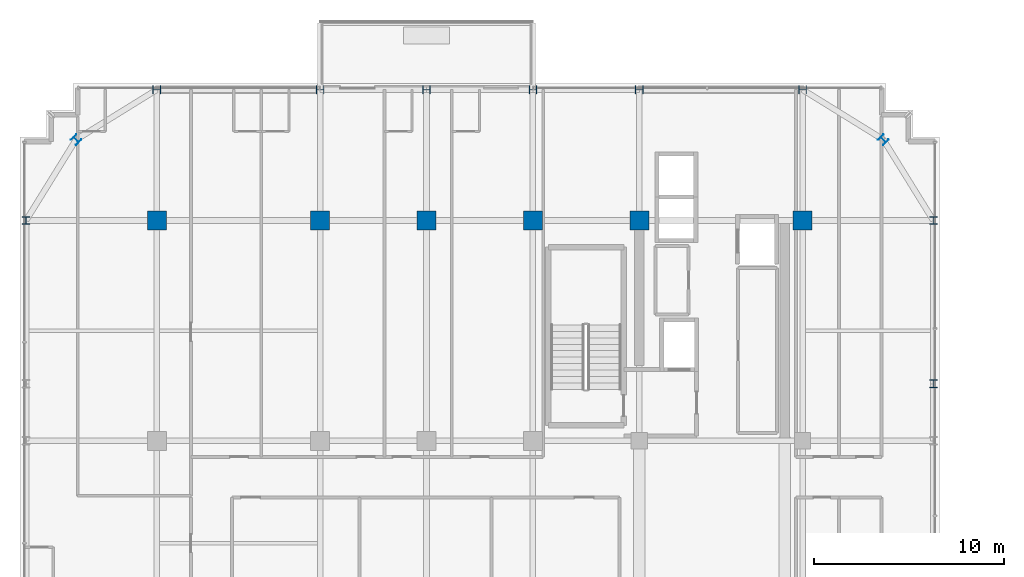
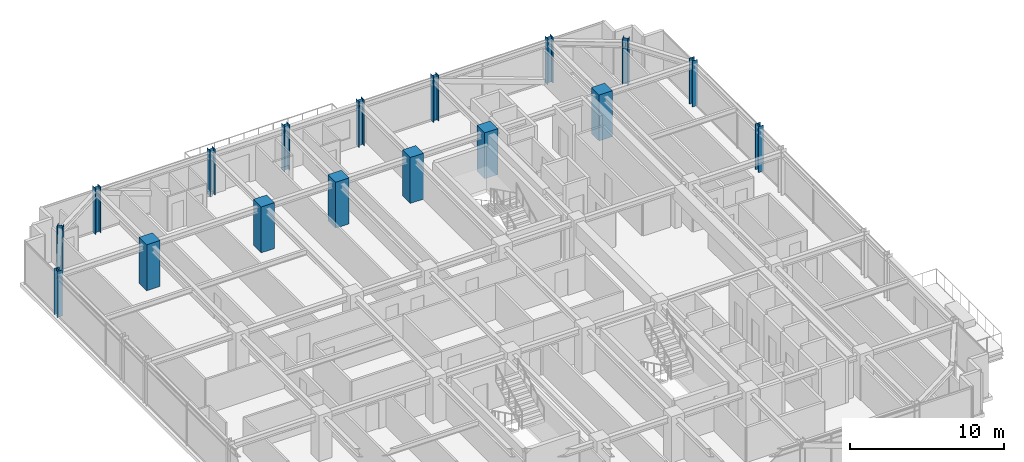
# One storey, part 3 of 43: 17 columns.
"""IFC4 building model written with IfcOpenShell, lengths in metres."""

from ifc_helpers import new_model, si_unit, direction, frame, origin, origin_2d, place, context, subcontext, project, spatial, rectangle, i_section, extrude, source, transform, mapped, material, material_profile, profile_set, type_object, element, save


model = new_model("IFC4")

# Units and contexts
model_context = context("Model", 3, precision=1e-05, world=origin(), true_north=direction((0.0, 1.0)))
body_context = subcontext(model_context, "Body", "Model", "MODEL_VIEW")
ifc_project = project(units=[si_unit("LENGTHUNIT", "METRE"), si_unit("AREAUNIT", "SQUARE_METRE"), si_unit("VOLUMEUNIT", "CUBIC_METRE"), si_unit("PLANEANGLEUNIT", "RADIAN"), si_unit("MASSUNIT", "GRAM", prefix="KILO")], contexts=[model_context])

# Site, building, storey
site_placement = place(None, origin())
site = spatial("IfcSite", under=ifc_project, at=site_placement, CompositionType="ELEMENT")
building_placement = place(site_placement, origin())
building = spatial("IfcBuilding", under=site, at=building_placement, Name="Nahalor Promenade Grand Hotel", CompositionType="ELEMENT")
storey_placement = place(building_placement, frame((0.0, 0.0, 204.89990234375)))
storey = spatial("IfcBuildingStorey", under=building, at=storey_placement, Name="L52", CompositionType="ELEMENT", Elevation=204.89990234375)

# Columns
ifc_material_1 = material(Name="Concrete B-60 (C50/60)", Category="concrete")
ifc_material_profile_1 = material_profile(ifc_material_1, rectangle(XDim=1.0, YDim=1.0, at=origin_2d()), Name="RC 1000x1000")
ifc_profile_set_1 = profile_set([ifc_material_profile_1], Name="Concrete B-60 (C50/60)")
column_type_1 = type_object("IfcColumnType", Name="Col-RC-1000", PredefinedType="COLUMN", material=ifc_profile_set_1)
shared_shape_1 = source(origin(), body_context, "Body", "SweptSolid", [
    extrude(rectangle(XDim=1.0, YDim=1.0, at=origin_2d()), origin(), (0.0, 0.0, 1.0), 3.655029296875),
])
for number, where, z_axis, x_axis, name in (
    (1, (-17.0, 17.0, 0.0), (0.0, 0.0, 1.0), (1.0, 0.0, 0.0), "COL-L52-I03"),
    (2, (-8.39990234375, 17.0, 0.0), (0.0, 0.0, 1.0), (1.0, 0.0, 0.0), "COL-L52-I13"),
    (3, (-2.800048828125, 17.0, 0.0), (0.0, 0.0, 1.0), (1.0, 0.0, 0.0), "COL-L52-I23"),
    (4, (2.800048828125, 17.0, 0.0), (0.0, 0.0, 1.0), (1.0, 0.0, 0.0), "COL-L52-I33"),
    (5, (8.39990234375, 17.0, 0.0), (0.0, 0.0, 1.0), (1.0, 0.0, 0.0), "COL-L52-I43"),
    (6, (17.0, 17.0, 0.0), (0.0, 0.0, 1.0), (1.0, 0.0, 0.0), "COL-L52-I53"),
):
    element("IfcColumn", number, at=place(storey_placement, frame(where, z_axis=z_axis, x_axis=x_axis)), inside=storey, type_object=column_type_1, Name=name, PredefinedType="COLUMN", context=body_context, shape_type="MappedRepresentation", body=[
        mapped(shared_shape_1, transform((0.0, 0.0, 0.0), scale=1.0)),
    ])
ifc_material_2 = material(Name="Steel S355JR", Category="steel")
ifc_material_profile_2 = material_profile(ifc_material_2, i_section(OverallWidth=0.401, OverallDepth=0.406, WebThickness=0.0161, FlangeThickness=0.025, at=origin_2d()), Name="HD 400x314")
ifc_profile_set_2 = profile_set([ifc_material_profile_2], Name="Steel S355JR")
column_type_2 = type_object("IfcColumnType", Name="Col-Steel-HD314", PredefinedType="COLUMN", material=ifc_profile_set_2)
shared_shape_2 = source(origin(), body_context, "Body", "SweptSolid", [
    extrude(i_section(OverallWidth=0.401, OverallDepth=0.406, WebThickness=0.0161, FlangeThickness=0.025, at=origin_2d()), origin(), (0.0, 0.0, 1.0), 3.655029296875),
])
for number, where, z_axis, x_axis, name in (
    (7, (23.8798828125, 8.39990234375, 0.0), (0.0, 0.0, 1.0), (1.0, 0.0, 0.0), "COL-L52-PW-E4"),
    (8, (-23.8798828125, 17.0, 0.0), (0.0, 0.0, 1.0), (1.0, 0.0, 0.0), "COL-L52-PW-W5"),
    (9, (23.8798828125, 17.0, 0.0), (0.0, 0.0, 1.0), (1.0, 0.0, 0.0), "COL-L52-PW-E5"),
    (10, (-17.0, 23.8798828125, 0.0), (0.0, 0.0, 1.0), (0.0, 1.0, 0.0), "COL-L52-PN-N0"),
    (11, (-8.39990234375, 23.8798828125, 0.0), (0.0, 0.0, 1.0), (0.0, 1.0, 0.0), "COL-L52-PN-N1"),
    (12, (-2.800048828125, 23.8798828125, 0.0), (0.0, 0.0, 1.0), (0.0, 1.0, 0.0), "COL-L52-PN-N2"),
    (13, (2.800048828125, 23.8798828125, 0.0), (0.0, 0.0, 1.0), (0.0, 1.0, 0.0), "COL-L52-PN-N3"),
    (14, (8.39990234375, 23.8798828125, 0.0), (0.0, 0.0, 1.0), (0.0, 1.0, 0.0), "COL-L52-PN-N4"),
    (15, (17.0, 23.8798828125, 0.0), (0.0, 0.0, 1.0), (0.0, 1.0, 0.0), "COL-L52-PN-N5"),
    (16, (-21.25, 21.25, 0.0), (0.0, 0.0, 1.0), (0.707106781187, 0.707106781187, 0.0), "COL-L52-CRN-NW"),
    (17, (21.25, 21.25, 0.0), (0.0, 0.0, 1.0), (0.707106781187, 0.707106781187, 0.0), "COL-L52-CRN-NE"),
):
    element("IfcColumn", number, at=place(storey_placement, frame(where, z_axis=z_axis, x_axis=x_axis)), inside=storey, type_object=column_type_2, Name=name, PredefinedType="COLUMN", context=body_context, shape_type="MappedRepresentation", body=[
        mapped(shared_shape_2, transform((0.0, 0.0, 0.0), scale=1.0)),
    ])

save(model, "model.ifc")
